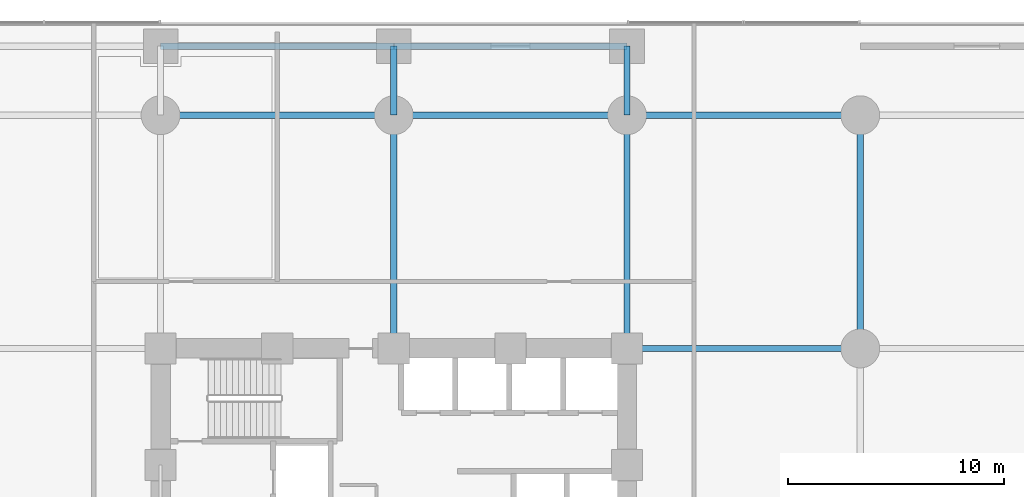
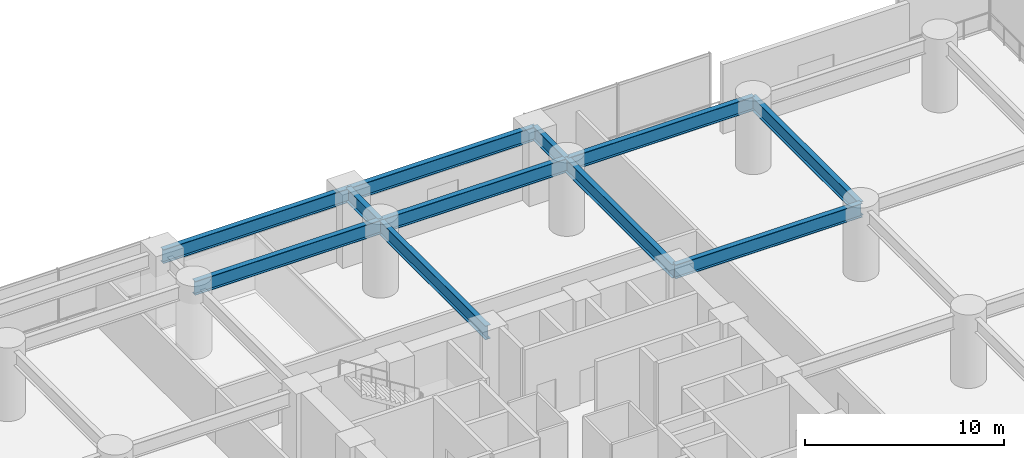
# One storey, part 16 of 36: 11 beams.
"""IFC4 building model written with IfcOpenShell, lengths in metres."""

from ifc_helpers import new_model, si_unit, direction, frame, origin, origin_2d, place, context, subcontext, project, spatial, i_section, extrude, material, material_profile, profile_set, type_object, element, save


model = new_model("IFC4")

# Units and contexts
model_context = context("Model", 3, precision=1e-05, world=origin(), true_north=direction((0.0, 1.0)))
body_context = subcontext(model_context, "Body", "Model", "MODEL_VIEW")
ifc_project = project(units=[si_unit("LENGTHUNIT", "METRE"), si_unit("AREAUNIT", "SQUARE_METRE"), si_unit("VOLUMEUNIT", "CUBIC_METRE"), si_unit("PLANEANGLEUNIT", "RADIAN"), si_unit("MASSUNIT", "GRAM", prefix="KILO")], contexts=[model_context])

# Site, building, storey
site_placement = place(None, origin())
site = spatial("IfcSite", under=ifc_project, at=site_placement, CompositionType="ELEMENT")
building_placement = place(site_placement, origin())
building = spatial("IfcBuilding", under=site, at=building_placement, Name="Surkhivell Harbour Commons", CompositionType="ELEMENT")
storey_placement = place(building_placement, frame((0.0, 0.0, 9.0)))
storey = spatial("IfcBuildingStorey", under=building, at=storey_placement, Name="L02", CompositionType="ELEMENT", Elevation=9.0)

# Beams
ifc_material = material(Name="Steel S460", Category="steel")
ifc_material_profile = material_profile(ifc_material, i_section(OverallWidth=0.2939453125, OverallDepth=0.85107421875, WebThickness=0.01611328125, FlangeThickness=0.02685546875, at=origin_2d()), Name="UB838x292x226")
ifc_profile_set = profile_set([ifc_material_profile], Name="Steel S460")
beam_type = type_object("IfcBeamType", Name="BM-SPN-838", PredefinedType="SPANDREL", material=ifc_profile_set)
for number, where, z_axis, x_axis, name in (
    (1, (-10.800048828125, 21.60009765625, 3.824462890625), (1.0, 0.0, 0.0), (0.0, 1.0, 0.0), "L02 Framing Beam (-10.8,21.6)"),
    (2, (-10.800048828125, 24.800048828125, 3.824462890625), (1.0, 0.0, 0.0), (0.0, 1.0, 0.0), "L02 Framing Beam (-10.8,24.8)"),
    (3, (0.0, 10.800048828125, 3.824462890625), (0.0, 1.0, 0.0), (-1.0, 0.0, 0.0), "L02 Framing Beam (0.0,10.8)"),
):
    element("IfcBeam", number, at=place(storey_placement, frame(where, z_axis=z_axis, x_axis=x_axis)), inside=storey, type_object=beam_type, Name=name, PredefinedType="SPANDREL", context=body_context, shape_type="SweptSolid", body=[
        extrude(i_section(OverallWidth=0.2939453125, OverallDepth=0.85107421875, WebThickness=0.01611328125, FlangeThickness=0.02685546875, at=origin_2d()), origin(), (0.0, 0.0, 1.0), 10.800048828125),
    ])
beam_1_placement = place(storey_placement, frame((0.0, 21.60009765625, 3.824462890625), z_axis=(0.0, 1.0, 0.0), x_axis=(-1.0, 0.0, 0.0)))
element("IfcBeam", 4, at=beam_1_placement, inside=storey, type_object=beam_type, Name="L02 Framing Beam (0.0,21.6)", PredefinedType="SPANDREL", context=body_context, shape_type="SweptSolid", body=[
    extrude(i_section(OverallWidth=0.2939453125, OverallDepth=0.85107421875, WebThickness=0.01611328125, FlangeThickness=0.02685546875, at=origin_2d()), origin(), (0.0, 0.0, 1.0), 3.199951171875),
])
for number, where, z_axis, x_axis, name in (
    (5, (0.0, 21.60009765625, 3.824462890625), (1.0, 0.0, 0.0), (0.0, 1.0, 0.0), "L02 Framing Beam (0.0,21.6)"),
    (6, (0.0, 24.800048828125, 3.824462890625), (1.0, 0.0, 0.0), (0.0, 1.0, 0.0), "L02 Framing Beam (0.0,24.8)"),
    (7, (10.800048828125, 10.800048828125, 3.824462890625), (0.0, 1.0, 0.0), (-1.0, 0.0, 0.0), "L02 Framing Beam (10.8,10.8)"),
    (8, (10.800048828125, 10.800048828125, 3.824462890625), (1.0, 0.0, 0.0), (0.0, 1.0, 0.0), "L02 Framing Beam (10.8,10.8)"),
):
    element("IfcBeam", number, at=place(storey_placement, frame(where, z_axis=z_axis, x_axis=x_axis)), inside=storey, type_object=beam_type, Name=name, PredefinedType="SPANDREL", context=body_context, shape_type="SweptSolid", body=[
        extrude(i_section(OverallWidth=0.2939453125, OverallDepth=0.85107421875, WebThickness=0.01611328125, FlangeThickness=0.02685546875, at=origin_2d()), origin(), (0.0, 0.0, 1.0), 10.800048828125),
    ])
beam_2_placement = place(storey_placement, frame((10.800048828125, 21.60009765625, 3.824462890625), z_axis=(0.0, 1.0, 0.0), x_axis=(-1.0, 0.0, 0.0)))
element("IfcBeam", 9, at=beam_2_placement, inside=storey, type_object=beam_type, Name="L02 Framing Beam (10.8,21.6)", PredefinedType="SPANDREL", context=body_context, shape_type="SweptSolid", body=[
    extrude(i_section(OverallWidth=0.2939453125, OverallDepth=0.85107421875, WebThickness=0.01611328125, FlangeThickness=0.02685546875, at=origin_2d()), origin(), (0.0, 0.0, 1.0), 3.199951171875),
])
for number, where, z_axis, x_axis, name in (
    (10, (10.800048828125, 21.60009765625, 3.824462890625), (1.0, 0.0, 0.0), (0.0, 1.0, 0.0), "L02 Framing Beam (10.8,21.6)"),
    (11, (21.60009765625, 10.800048828125, 3.824462890625), (0.0, 1.0, 0.0), (-1.0, 0.0, 0.0), "L02 Framing Beam (21.6,10.8)"),
):
    element("IfcBeam", number, at=place(storey_placement, frame(where, z_axis=z_axis, x_axis=x_axis)), inside=storey, type_object=beam_type, Name=name, PredefinedType="SPANDREL", context=body_context, shape_type="SweptSolid", body=[
        extrude(i_section(OverallWidth=0.2939453125, OverallDepth=0.85107421875, WebThickness=0.01611328125, FlangeThickness=0.02685546875, at=origin_2d()), origin(), (0.0, 0.0, 1.0), 10.800048828125),
    ])

save(model, "model.ifc")
